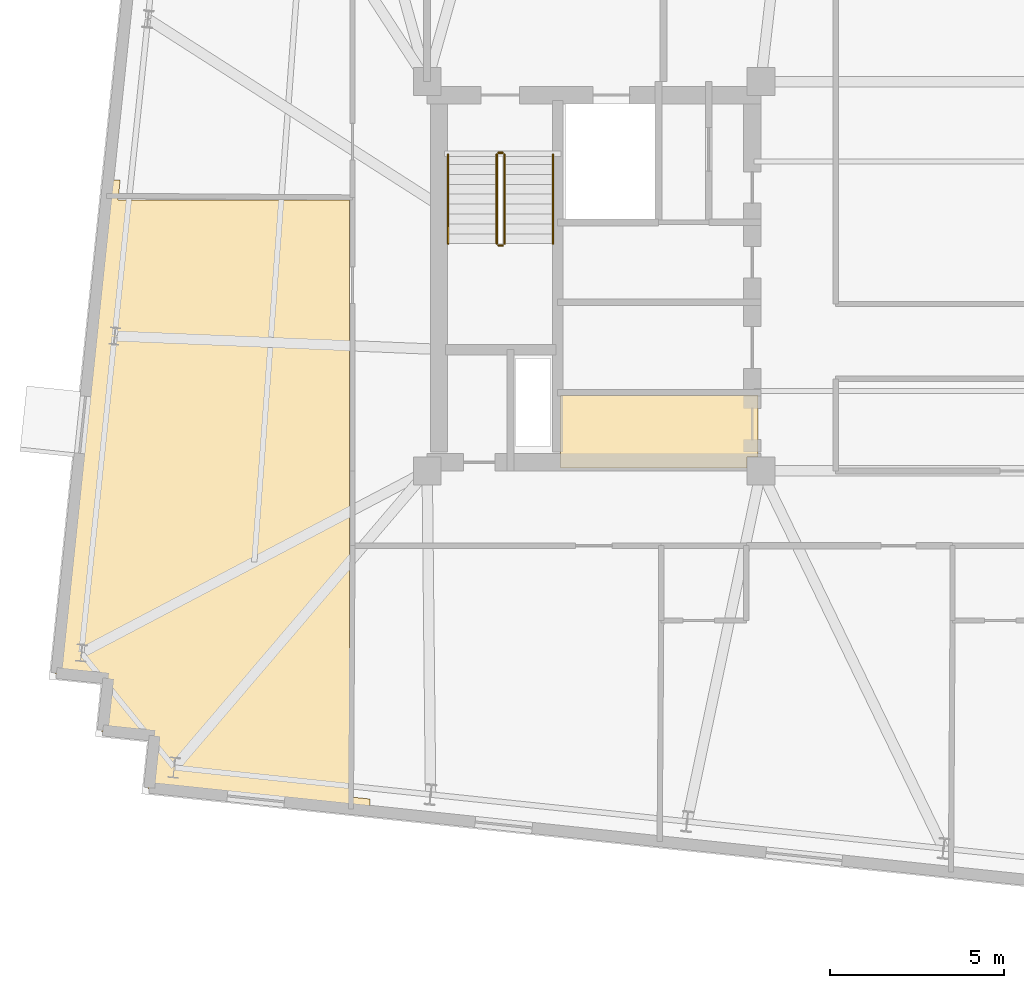
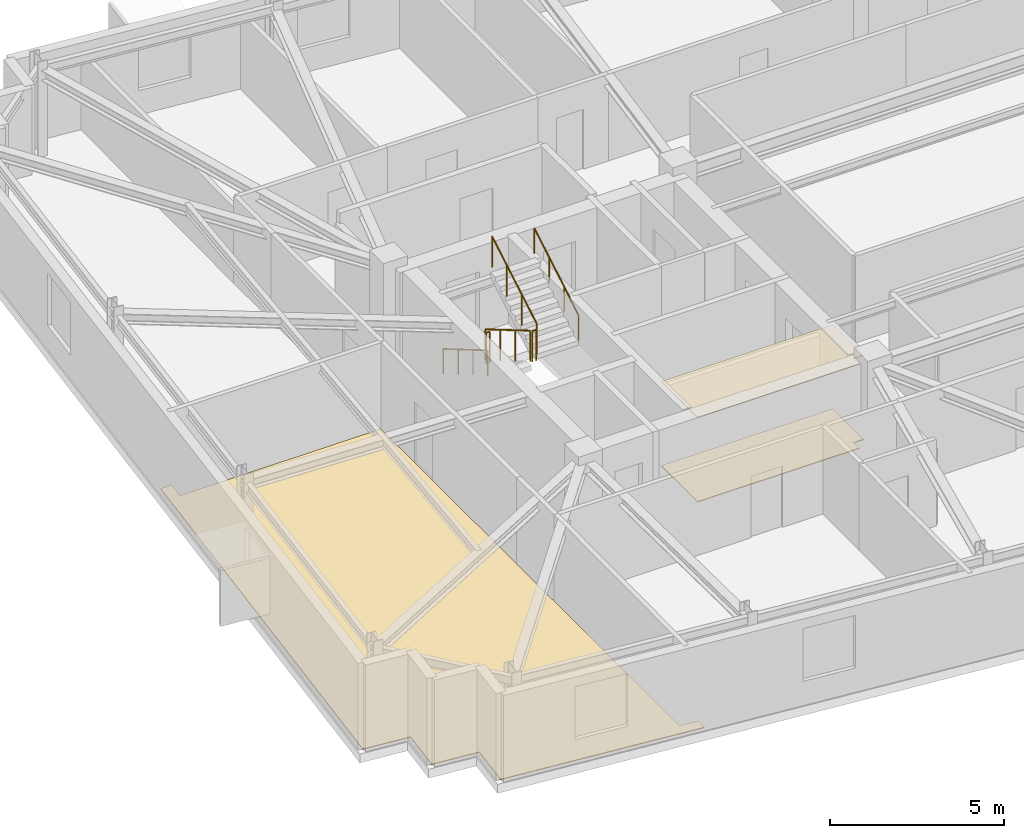
# One storey, part 10 of 11: 6 railings, 3 coverings.
"""IFC4 building model written with IfcOpenShell, lengths in metres."""

from ifc_helpers import new_model, si_unit, direction, frame, origin, origin_2d, place, context, subcontext, project, spatial, polyline, circle, outline, extrude, material, layer, layer_set, type_object, element, save


model = new_model("IFC4")

# Units and contexts
model_context = context("Model", 3, precision=1e-05, world=origin(), true_north=direction((0.0, 1.0)))
body_context = subcontext(model_context, "Body", "Model", "MODEL_VIEW")
ifc_project = project(units=[si_unit("LENGTHUNIT", "METRE"), si_unit("AREAUNIT", "SQUARE_METRE"), si_unit("VOLUMEUNIT", "CUBIC_METRE"), si_unit("PLANEANGLEUNIT", "RADIAN"), si_unit("MASSUNIT", "GRAM", prefix="KILO")], contexts=[model_context])

# Site, building, storey
site_placement = place(None, origin())
site = spatial("IfcSite", under=ifc_project, at=site_placement, CompositionType="ELEMENT")
building_placement = place(site_placement, origin())
building = spatial("IfcBuilding", under=site, at=building_placement, Name="Qobustan Lattice House", CompositionType="ELEMENT")
storey_placement = place(building_placement, frame((0.0, 0.0, 193.050048828125)))
storey = spatial("IfcBuildingStorey", under=building, at=storey_placement, Name="L54", CompositionType="ELEMENT", Elevation=193.050048828125)

# Coverings
ifc_material_1 = material(Name="Perforated gypsum acoustic ceiling", Category="gypsum")
ifc_layer_1 = layer(ifc_material_1, 0.030029296875)
ifc_layer_set_1 = layer_set([ifc_layer_1], Name="Perforated gypsum acoustic ceiling")
covering_type_1 = type_object("IfcCoveringType", Name="COV-ACOUSTIC-CEIL", PredefinedType="CEILING", material=ifc_layer_set_1)
covering_1_placement = place(storey_placement, frame((0.0, 0.0, 2.949951171875)))
element("IfcCovering", 1, at=covering_1_placement, inside=storey, type_object=covering_type_1, Name="L54 Collaborative study lounge acoustic ceiling", PredefinedType="CEILING", context=body_context, shape_type="SweptSolid", body=[
    extrude(outline(polyline([(-14.969970703125, -3.429931640625), (-14.969970703125, -5.52001953125), (-9.60205078125, -5.52001953125), (-9.60205078125, -5.197998046875), (-9.280029296875, -5.197998046875), (-9.280029296875, -3.429931640625), (-14.969970703125, -3.429931640625)])), origin(), (0.0, 0.0, 1.0), 0.030029296875),
])
ifc_material_2 = material(Name="Honed Absheron stone terrazzo flooring", Category="masonry")
ifc_layer_2 = layer(ifc_material_2, 0.02490234375)
ifc_layer_set_2 = layer_set([ifc_layer_2], Name="Honed Absheron stone terrazzo flooring")
covering_type_2 = type_object("IfcCoveringType", Name="COV-TERRAZZO-FLR", PredefinedType="FLOORING", material=ifc_layer_set_2)
covering_2_placement = place(storey_placement, origin())
element("IfcCovering", 2, at=covering_2_placement, inside=storey, type_object=covering_type_2, Name="L54 Collaborative study lounge stone terrazzo flooring", PredefinedType="FLOORING", context=body_context, shape_type="SweptSolid", body=[
    extrude(outline(polyline([(-14.969970703125, -3.429931640625), (-14.969970703125, -5.52001953125), (-9.60205078125, -5.52001953125), (-9.60205078125, -5.197998046875), (-9.280029296875, -5.197998046875), (-9.280029296875, -3.429931640625), (-14.969970703125, -3.429931640625)])), origin(), (0.0, 0.0, 1.0), 0.02490234375),
])
covering_3_placement = place(storey_placement, origin())
element("IfcCovering", 3, at=covering_3_placement, inside=storey, type_object=covering_type_2, Name="L54 Fellows reading room stone terrazzo flooring", PredefinedType="FLOORING", context=body_context, shape_type="SweptSolid", body=[
    extrude(outline(polyline([(-26.669677734375, -13.245849609375), (-26.826416015625, -14.73779296875), (-20.449951171875, -15.407958984375), (-20.449951171875, -15.035888671875), (-21.030029296875, -14.974853515625), (-21.030029296875, 2.18701171875), (-27.69189453125, 2.18701171875), (-27.631103515625, 2.76708984375), (-28.0029296875, 2.76708984375), (-29.496337890625, -11.4404296875), (-28.004638671875, -11.597412109375), (-28.161376953125, -13.089111328125), (-26.669677734375, -13.245849609375)])), origin(), (0.0, 0.0, 1.0), 0.02490234375),
])

# Railings
ifc_material_3 = material(Name="Brushed stainless steel handrail", Category="steel")
railing_type_1 = type_object("IfcRailingType", Name="RAL-HR-920", PredefinedType="HANDRAIL", material=ifc_material_3)
railing_1_placement = place(storey_placement, frame((-18.199951171875, 3.5, 0.16748046875)))
element("IfcRailing", 4, at=railing_1_placement, inside=storey, type_object=railing_type_1, Name="L54 ST-W1 stair handrail 1", PredefinedType="HANDRAIL", context=body_context, shape_type="SweptSolid", body=[
    extrude(circle(Radius=0.02392578125, at=origin_2d()), frame((0.0, 0.0, 0.8759765625), z_axis=(0.0, -0.862113467892, 0.50671527358), x_axis=(1.0, 0.0, 0.0)), (0.0, 0.0, 1.0), 2.97509765625),
    extrude(circle(Radius=0.02099609375, at=origin_2d()), origin(), (0.0, 0.0, 1.0), 0.851806640625),
    extrude(circle(Radius=0.02099609375, at=origin_2d()), frame((0.0, -0.85498046875, 0.50244140625)), (0.0, 0.0, 1.0), 0.851806640625),
    extrude(circle(Radius=0.02099609375, at=origin_2d()), frame((0.0, -1.7099609375, 1.005126953125)), (0.0, 0.0, 1.0), 0.851806640625),
    extrude(circle(Radius=0.02099609375, at=origin_2d()), frame((0.0, -2.56494140625, 1.507568359375)), (0.0, 0.0, 1.0), 0.851806640625),
])
railing_2_placement = place(storey_placement, frame((-15.179931640625, 0.93505859375, 1.842529296875)))
element("IfcRailing", 5, at=railing_2_placement, inside=storey, type_object=railing_type_1, Name="L54 ST-W1 stair handrail 2", PredefinedType="HANDRAIL", context=body_context, shape_type="SweptSolid", body=[
    extrude(circle(Radius=0.02392578125, at=origin_2d()), frame((0.0, 0.0, 0.8759765625), z_axis=(0.0, 0.862149314443, 0.506654280161), x_axis=(-1.0, 0.0, 0.0)), (0.0, 0.0, 1.0), 2.97509765625),
    extrude(circle(Radius=0.02099609375, at=origin_2d()), origin(), (0.0, 0.0, 1.0), 0.851806640625),
    extrude(circle(Radius=0.02099609375, at=origin_2d()), frame((0.0, 0.85498046875, 0.50244140625)), (0.0, 0.0, 1.0), 0.851806640625),
    extrude(circle(Radius=0.02099609375, at=origin_2d()), frame((0.0, 1.7099609375, 1.0048828125)), (0.0, 0.0, 1.0), 0.851806640625),
    extrude(circle(Radius=0.02099609375, at=origin_2d()), frame((0.0, 2.56494140625, 1.50732421875)), (0.0, 0.0, 1.0), 0.851806640625),
])
ifc_material_4 = material(Name="Painted galvanized steel guardrail", Category="steel")
railing_type_2 = type_object("IfcRailingType", Name="RAL-STG-1150", PredefinedType="GUARDRAIL", material=ifc_material_4)
railing_3_placement = place(storey_placement, frame((-16.800048828125, 3.5, 0.16748046875)))
element("IfcRailing", 6, at=railing_3_placement, inside=storey, type_object=railing_type_2, Name="L54 ST-W1 stair guard 1", PredefinedType="GUARDRAIL", context=body_context, shape_type="SweptSolid", body=[
    extrude(circle(Radius=0.02392578125, at=origin_2d()), frame((0.0, 0.0, 1.076171875), z_axis=(0.0, -0.862113467892, 0.50671527358), x_axis=(1.0, 0.0, 0.0)), (0.0, 0.0, 1.0), 2.97509765625),
    extrude(circle(Radius=0.02099609375, at=origin_2d()), origin(), (0.0, 0.0, 1.0), 1.052001953125),
    extrude(circle(Radius=0.02099609375, at=origin_2d()), frame((0.0, -0.85498046875, 0.50244140625)), (0.0, 0.0, 1.0), 1.052001953125),
    extrude(circle(Radius=0.02099609375, at=origin_2d()), frame((0.0, -1.7099609375, 1.005126953125)), (0.0, 0.0, 1.0), 1.052001953125),
    extrude(circle(Radius=0.02099609375, at=origin_2d()), frame((0.0, -2.56494140625, 1.507568359375)), (0.0, 0.0, 1.0), 1.052001953125),
])
railing_4_placement = place(storey_placement, frame((-16.75, 0.885009765625, 1.675048828125)))
element("IfcRailing", 7, at=railing_4_placement, inside=storey, type_object=railing_type_2, Name="L54 ST-W1 stair guard 2", PredefinedType="GUARDRAIL", context=body_context, shape_type="SweptSolid", body=[
    extrude(circle(Radius=0.02392578125, at=origin_2d()), frame((0.0, 0.0, 1.076171875), z_axis=(1.0, 0.0, 0.0), x_axis=(0.0, 1.0, 0.0)), (0.0, 0.0, 1.0), 0.1201171875),
    extrude(circle(Radius=0.02099609375, at=origin_2d()), origin(), (0.0, 0.0, 1.0), 1.052001953125),
    extrude(circle(Radius=0.02099609375, at=origin_2d()), frame((0.1201171875, 0.0, 0.0)), (0.0, 0.0, 1.0), 1.052001953125),
])
railing_5_placement = place(storey_placement, frame((-16.580078125, 0.93505859375, 1.842529296875)))
element("IfcRailing", 8, at=railing_5_placement, inside=storey, type_object=railing_type_2, Name="L54 ST-W1 stair guard 3", PredefinedType="GUARDRAIL", context=body_context, shape_type="SweptSolid", body=[
    extrude(circle(Radius=0.02392578125, at=origin_2d()), frame((0.0, 0.0, 1.076171875), z_axis=(0.0, 0.862149314443, 0.506654280161), x_axis=(-1.0, 0.0, 0.0)), (0.0, 0.0, 1.0), 2.97509765625),
    extrude(circle(Radius=0.02099609375, at=origin_2d()), origin(), (0.0, 0.0, 1.0), 1.052001953125),
    extrude(circle(Radius=0.02099609375, at=origin_2d()), frame((0.0, 0.85498046875, 0.50244140625)), (0.0, 0.0, 1.0), 1.052001953125),
    extrude(circle(Radius=0.02099609375, at=origin_2d()), frame((0.0, 1.7099609375, 1.0048828125)), (0.0, 0.0, 1.0), 1.052001953125),
    extrude(circle(Radius=0.02099609375, at=origin_2d()), frame((0.0, 2.56494140625, 1.50732421875)), (0.0, 0.0, 1.0), 1.052001953125),
])
railing_6_placement = place(storey_placement, frame((-16.75, 3.550048828125, 0.0)))
element("IfcRailing", 9, at=railing_6_placement, inside=storey, type_object=railing_type_2, Name="L54 ST-W1 stair guard 4", PredefinedType="GUARDRAIL", context=body_context, shape_type="SweptSolid", body=[
    extrude(circle(Radius=0.02392578125, at=origin_2d()), frame((0.0, 0.0, 1.076171875), z_axis=(1.0, 0.0, 0.0), x_axis=(0.0, 1.0, 0.0)), (0.0, 0.0, 1.0), 0.1201171875),
    extrude(circle(Radius=0.02099609375, at=origin_2d()), origin(), (0.0, 0.0, 1.0), 1.052001953125),
    extrude(circle(Radius=0.02099609375, at=origin_2d()), frame((0.1201171875, 0.0, 0.0)), (0.0, 0.0, 1.0), 1.052001953125),
])

save(model, "model.ifc")
